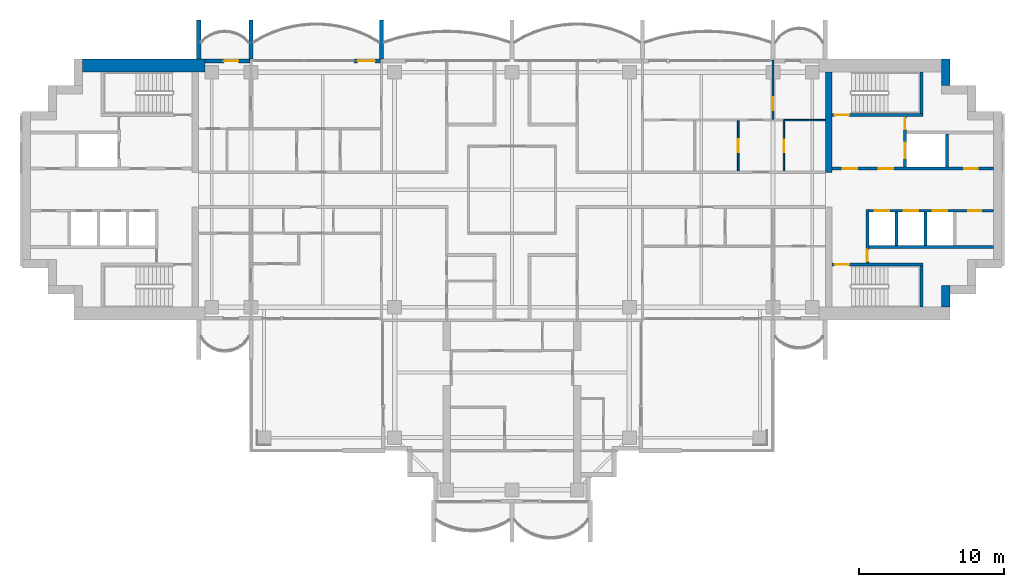
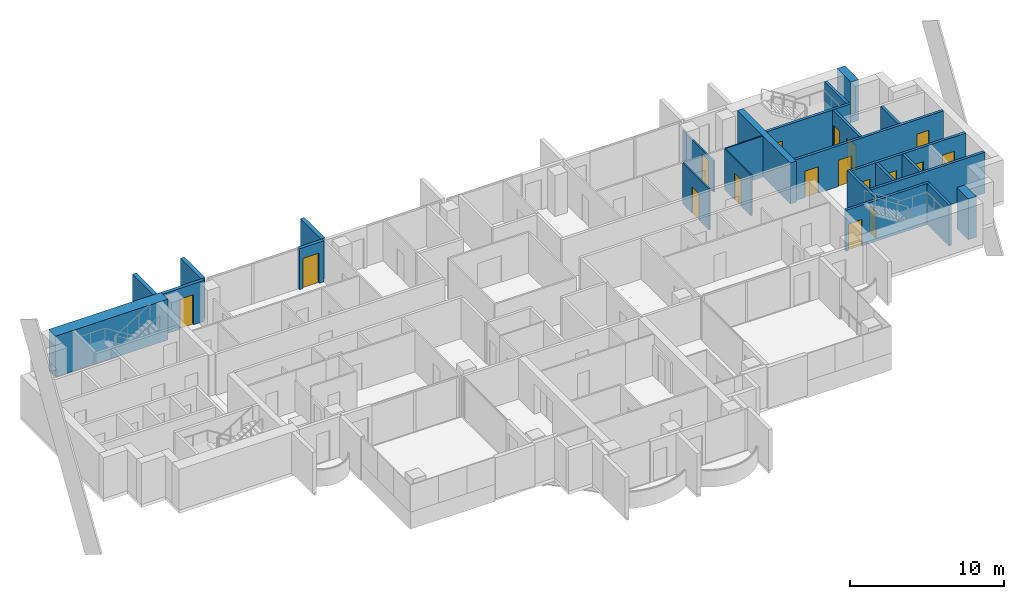
# One storey, part 12 of 17: 25 walls, 17 doors, 17 openings.
"""IFC4 building model written with IfcOpenShell, lengths in metres."""

from ifc_helpers import new_model, si_unit, direction, frame, frame_2d, origin, place, context, subcontext, project, spatial, rectangle, extrude, material, layer, layer_set, type_object, element, fill, save


model = new_model("IFC4")

# Units and contexts
model_context = context("Model", 3, precision=1e-05, world=origin(), true_north=direction((0.0, 1.0)))
body_context = subcontext(model_context, "Body", "Model", "MODEL_VIEW")
ifc_project = project(units=[si_unit("LENGTHUNIT", "METRE"), si_unit("AREAUNIT", "SQUARE_METRE"), si_unit("VOLUMEUNIT", "CUBIC_METRE"), si_unit("PLANEANGLEUNIT", "RADIAN"), si_unit("MASSUNIT", "GRAM", prefix="KILO")], contexts=[model_context])

# Site, building, storey
site_placement = place(None, origin())
site = spatial("IfcSite", under=ifc_project, at=site_placement, CompositionType="ELEMENT")
building_placement = place(site_placement, origin())
building = spatial("IfcBuilding", under=site, at=building_placement, Name="Perihelion Cross Residences", CompositionType="ELEMENT")
storey_placement = place(building_placement, frame((0.0, 0.0, 205.10009765625)))
storey = spatial("IfcBuildingStorey", under=building, at=storey_placement, Name="L51", CompositionType="ELEMENT", Elevation=205.10009765625)

# Wall, opening, door
ifc_material_1 = material(Name="Concrete C30/37, bronze-clad", Category="concrete")
ifc_layer_1 = layer(ifc_material_1, 0.25)
ifc_layer_set_1 = layer_set([ifc_layer_1], Name="Bronze-clad pier wall 250")
wall_type_1 = type_object("IfcWallType", Name="Bronze-clad pier wall 250", PredefinedType="SOLIDWALL", material=ifc_layer_set_1)
wall_1_placement = place(storey_placement, frame((-9.06005859375, 8.875, 0.0), z_axis=(0.0, 0.0, 1.0), x_axis=(-1.0, 0.0, 0.0)))
wall_1 = element("IfcWall", 1, at=wall_1_placement, inside=storey, type_object=wall_type_1, Name="Wall FW1 L51 west side north bay 1 pier", PredefinedType="SOLIDWALL", context=body_context, shape_type="SweptSolid", body=[
    extrude(rectangle(XDim=1.83984375, YDim=0.25, at=frame_2d((0.919921875, 0.0))), origin(), (0.0, 0.0, 1.0), 3.25),
])
opening_1_placement = place(wall_1_placement, frame((0.389892578125, 0.0, 0.0)))
opening_1 = element("IfcOpeningElement", 2, at=opening_1_placement, cuts=wall_1, Name="Opening L51.E05", PredefinedType="OPENING", context=body_context, shape_type="SweptSolid", body=[
    extrude(rectangle(XDim=1.199951171875, YDim=2.39990234375, at=frame_2d((0.60009765625, 1.199951171875))), frame((0.0, 0.135009765625, 0.0), z_axis=(0.0, -1.0, 0.0), x_axis=(1.0, 0.0, 0.0)), (0.0, 0.0, 1.0), 0.27001953125),
])
ifc_material_2 = material(Name="Bronze anodised aluminium, glazed", Category="aluminium")
door_type_1 = type_object("IfcDoorType", Name="Balcony door 1200 x 2400", OperationType="NOTDEFINED", PredefinedType="DOOR", material=ifc_material_2)
door_1_placement = place(opening_1_placement, origin())
door_1 = element("IfcDoor", 3, at=door_1_placement, inside=storey, type_object=door_type_1, Name="Door L51.E05 west side north bay 1", OperationType="SINGLE_SWING_LEFT", OverallHeight=2.39990234375, OverallWidth=1.199951171875, PredefinedType="DOOR", context=body_context, shape_type="SweptSolid", body=[
    extrude(rectangle(XDim=1.199951171875, YDim=2.39990234375, at=frame_2d((0.60009765625, 1.199951171875))), frame((0.0, 0.02490234375, 0.0), z_axis=(0.0, -1.0, 0.0), x_axis=(1.0, 0.0, 0.0)), (0.0, 0.0, 1.0), 0.050048828125),
])
fill(opening_1, door_1)

wall_2_placement = place(storey_placement, frame((-18.06005859375, 8.875, 0.0), z_axis=(0.0, 0.0, 1.0), x_axis=(-1.0, 0.0, 0.0)))
wall_2 = element("IfcWall", 4, at=wall_2_placement, inside=storey, type_object=wall_type_1, Name="Wall FW1 L51 west side north bay 2 pier", PredefinedType="SOLIDWALL", context=body_context, shape_type="SweptSolid", body=[
    extrude(rectangle(XDim=3.114990234375, YDim=0.25, at=frame_2d((1.5576171875, 0.0))), origin(), (0.0, 0.0, 1.0), 3.25),
])
opening_2_placement = place(wall_2_placement, frame((0.81494140625, 0.0, 0.0)))
opening_2 = element("IfcOpeningElement", 5, at=opening_2_placement, cuts=wall_2, Name="Opening L51.E06", PredefinedType="OPENING", context=body_context, shape_type="SweptSolid", body=[
    extrude(rectangle(XDim=1.0, YDim=2.39990234375, at=frame_2d((0.5, 1.199951171875))), frame((0.0, 0.135009765625, 0.0), z_axis=(0.0, -1.0, 0.0), x_axis=(1.0, 0.0, 0.0)), (0.0, 0.0, 1.0), 0.27001953125),
])
ifc_material_3 = material(Name="Bronze anodised aluminium, glazed", Category="aluminium")
door_type_2 = type_object("IfcDoorType", Name="Balcony door 1000 x 2400", OperationType="NOTDEFINED", PredefinedType="DOOR", material=ifc_material_3)
door_2_placement = place(opening_2_placement, origin())
door_2 = element("IfcDoor", 6, at=door_2_placement, inside=storey, type_object=door_type_2, Name="Door L51.E06 west side north bay 2", OperationType="SINGLE_SWING_RIGHT", OverallHeight=2.39990234375, OverallWidth=1.0, PredefinedType="DOOR", context=body_context, shape_type="SweptSolid", body=[
    extrude(rectangle(XDim=1.0, YDim=2.39990234375, at=frame_2d((0.5, 1.199951171875))), frame((0.0, 0.02490234375, 0.0), z_axis=(0.0, -1.0, 0.0), x_axis=(1.0, 0.0, 0.0)), (0.0, 0.0, 1.0), 0.050048828125),
])
fill(opening_2, door_2)

# Walls
ifc_material_4 = material(Name="Concrete C60/75", Category="concrete")
ifc_layer_2 = layer(ifc_material_4, 0.449951171875)
ifc_layer_set_2 = layer_set([ifc_layer_2], Name="Core wall, inner 450")
wall_type_2 = type_object("IfcWallType", Name="Core wall, inner 450", PredefinedType="SHEAR", material=ifc_layer_set_2)
wall_3_placement = place(storey_placement, frame((21.824951171875, 1.199951171875, 0.0), z_axis=(0.0, 0.0, 1.0), x_axis=(0.0, 1.0, 0.0)))
element("IfcWall", 7, at=wall_3_placement, inside=storey, type_object=wall_type_2, Name="East core core wall, inner", PredefinedType="SHEAR", context=body_context, shape_type="SweptSolid", body=[
    extrude(rectangle(XDim=6.900146484375, YDim=0.449951171875, at=frame_2d((3.4501953125, 0.0))), origin(), (0.0, 0.0, 1.0), 3.25),
])
ifc_material_5 = material(Name="Concrete C60/75", Category="concrete")
ifc_layer_3 = layer(ifc_material_5, 0.60009765625)
ifc_layer_set_3 = layer_set([ifc_layer_3], Name="Core wall, outer 600")
wall_type_3 = type_object("IfcWallType", Name="Core wall, outer 600", PredefinedType="SHEAR", material=ifc_layer_set_3)
wall_4_placement = place(storey_placement, frame((29.89990234375, -8.10009765625, 0.0), z_axis=(0.0, 0.0, 1.0), x_axis=(0.0, 1.0, 0.0)))
element("IfcWall", 8, at=wall_4_placement, inside=storey, type_object=wall_type_3, Name="East core core wall, outer", PredefinedType="SHEAR", context=body_context, shape_type="SweptSolid", body=[
    extrude(rectangle(XDim=1.5, YDim=0.60009765625, at=frame_2d((0.75, 0.0))), origin(), (0.0, 0.0, 1.0), 3.25),
])
wall_5_placement = place(storey_placement, frame((29.89990234375, 7.199951171875, 0.0), z_axis=(0.0, 0.0, 1.0), x_axis=(0.0, 1.0, 0.0)))
element("IfcWall", 9, at=wall_5_placement, inside=storey, type_object=wall_type_3, Name="East core core wall, outer", PredefinedType="SHEAR", context=body_context, shape_type="SweptSolid", body=[
    extrude(rectangle(XDim=1.800048828125, YDim=0.60009765625, at=frame_2d((0.89990234375, 0.0))), origin(), (0.0, 0.0, 1.0), 3.25),
])
ifc_material_6 = material(Name="Concrete C60/75", Category="concrete")
ifc_layer_4 = layer(ifc_material_6, 0.89990234375)
ifc_layer_set_4 = layer_set([ifc_layer_4], Name="Core wall, outer 900")
wall_type_4 = type_object("IfcWallType", Name="Core wall, outer 900", PredefinedType="SHEAR", material=ifc_layer_set_4)
wall_6_placement = place(storey_placement, frame((-29.60009765625, 8.550048828125, 0.0), z_axis=(0.0, 0.0, 1.0), x_axis=(1.0, 0.0, 0.0)))
element("IfcWall", 10, at=wall_6_placement, inside=storey, type_object=wall_type_4, Name="West core core wall, outer", PredefinedType="SHEAR", context=body_context, shape_type="SweptSolid", body=[
    extrude(rectangle(XDim=8.425048828125, YDim=0.89990234375, at=frame_2d((4.21240234375, 0.0))), origin(), (0.0, 0.0, 1.0), 3.25),
])

# Wall, opening, door
ifc_material_7 = material(Name="Concrete C50/60", Category="concrete")
ifc_layer_5 = layer(ifc_material_7, 0.199951171875)
ifc_layer_set_5 = layer_set([ifc_layer_5], Name="Lobby wall 200")
wall_type_5 = type_object("IfcWallType", Name="Lobby wall 200", PredefinedType="SOLIDWALL", material=ifc_layer_set_5)
wall_7_placement = place(storey_placement, frame((24.5, -5.050048828125, 0.0), z_axis=(0.0, 0.0, 1.0), x_axis=(0.0, 1.0, 0.0)))
wall_7 = element("IfcWall", 11, at=wall_7_placement, inside=storey, type_object=wall_type_5, Name="East core lobby wall", PredefinedType="SOLIDWALL", context=body_context, shape_type="SweptSolid", body=[
    extrude(rectangle(XDim=3.699951171875, YDim=0.199951171875, at=frame_2d((1.85009765625, 0.0))), origin(), (0.0, 0.0, 1.0), 3.25),
])
opening_3_placement = place(wall_7_placement, frame((0.10009765625, 0.0, 0.0)))
opening_3 = element("IfcOpeningElement", 12, at=opening_3_placement, cuts=wall_7, Name="Opening L51.C08", PredefinedType="OPENING", context=body_context, shape_type="SweptSolid", body=[
    extrude(rectangle(XDim=0.800048828125, YDim=2.10009765625, at=frame_2d((0.39990234375, 1.050048828125))), frame((0.0, 0.10986328125, 0.0), z_axis=(0.0, -1.0, 0.0), x_axis=(1.0, 0.0, 0.0)), (0.0, 0.0, 1.0), 0.219970703125),
])
ifc_material_8 = material(Name="Steel, powder coated", Category="steel")
door_type_3 = type_object("IfcDoorType", Name="Riser door 800", OperationType="SINGLE_SWING_LEFT", PredefinedType="DOOR", material=ifc_material_8)
door_3_placement = place(opening_3_placement, origin())
door_3 = element("IfcDoor", 13, at=door_3_placement, inside=storey, type_object=door_type_3, Name="East core riser door", OperationType="SINGLE_SWING_LEFT", OverallHeight=2.10009765625, OverallWidth=0.800048828125, PredefinedType="DOOR", context=body_context, shape_type="SweptSolid", body=[
    extrude(rectangle(XDim=0.800048828125, YDim=2.10009765625, at=frame_2d((0.39990234375, 1.050048828125))), frame((0.0, 0.02490234375, 0.0), z_axis=(0.0, -1.0, 0.0), x_axis=(1.0, 0.0, 0.0)), (0.0, 0.0, 1.0), 0.050048828125),
])
fill(opening_3, door_3)

ifc_material_9 = material(Name="Plasterboard partition")
ifc_layer_6 = layer(ifc_material_9, 0.1201171875)
ifc_layer_set_6 = layer_set([ifc_layer_6], Name="Partition wall 120")
wall_type_6 = type_object("IfcWallType", Name="Partition wall 120", PredefinedType="PARTITIONING", material=ifc_layer_set_6)
wall_8_placement = place(storey_placement, frame((15.60009765625, 4.739990234375, 0.0), z_axis=(0.0, 0.0, 1.0), x_axis=(0.0, -1.0, 0.0)))
wall_8 = element("IfcWall", 14, at=wall_8_placement, inside=storey, type_object=wall_type_6, Name="Partition L51 W025", PredefinedType="PARTITIONING", context=body_context, shape_type="SweptSolid", body=[
    extrude(rectangle(XDim=3.43994140625, YDim=0.1201171875, at=frame_2d((1.719970703125, 0.0))), origin(), (0.0, 0.0, 1.0), 3.25),
])
opening_4_placement = place(wall_8_placement, frame((1.27001953125, 0.0, 0.0)))
opening_4 = element("IfcOpeningElement", 15, at=opening_4_placement, cuts=wall_8, Name="Opening L51.A08", PredefinedType="OPENING", context=body_context, shape_type="SweptSolid", body=[
    extrude(rectangle(XDim=0.89990234375, YDim=2.10009765625, at=frame_2d((0.449951171875, 1.050048828125))), frame((0.0, 0.070068359375, 0.0), z_axis=(0.0, -1.0, 0.0), x_axis=(1.0, 0.0, 0.0)), (0.0, 0.0, 1.0), 0.14013671875),
])
ifc_material_10 = material(Name="Timber door leaf", Category="wood")
door_type_4 = type_object("IfcDoorType", Name="Interior room door 900 x 2100", OperationType="SINGLE_SWING_LEFT", PredefinedType="DOOR", material=ifc_material_10)
door_4_placement = place(opening_4_placement, origin())
door_4 = element("IfcDoor", 16, at=door_4_placement, inside=storey, type_object=door_type_4, Name="Door L51.A08", OperationType="SINGLE_SWING_RIGHT", OverallHeight=2.10009765625, OverallWidth=0.89990234375, PredefinedType="DOOR", context=body_context, shape_type="SweptSolid", body=[
    extrude(rectangle(XDim=0.89990234375, YDim=2.10009765625, at=frame_2d((0.449951171875, 1.050048828125))), frame((0.0, 0.02490234375, 0.0), z_axis=(0.0, -1.0, 0.0), x_axis=(1.0, 0.0, 0.0)), (0.0, 0.0, 1.0), 0.050048828125),
])
fill(opening_4, door_4)

wall_9_placement = place(storey_placement, frame((18.0, 8.919921875, 0.0), z_axis=(0.0, 0.0, 1.0), x_axis=(0.0, -1.0, 0.0)))
wall_9 = element("IfcWall", 17, at=wall_9_placement, inside=storey, type_object=wall_type_6, Name="Partition L51 W028", PredefinedType="PARTITIONING", context=body_context, shape_type="SweptSolid", body=[
    extrude(rectangle(XDim=4.059814453125, YDim=0.1201171875, at=frame_2d((2.02978515625, 0.0))), origin(), (0.0, 0.0, 1.0), 2.47998046875),
])
opening_5_placement = place(wall_9_placement, frame((2.5400390625, 0.0, 0.0)))
opening_5 = element("IfcOpeningElement", 18, at=opening_5_placement, cuts=wall_9, Name="Opening L51.A02", PredefinedType="OPENING", context=body_context, shape_type="SweptSolid", body=[
    extrude(rectangle(XDim=0.89990234375, YDim=2.10009765625, at=frame_2d((0.449951171875, 1.050048828125))), frame((0.0, 0.070068359375, 0.0), z_axis=(0.0, -1.0, 0.0), x_axis=(1.0, 0.0, 0.0)), (0.0, 0.0, 1.0), 0.14013671875),
])
door_5_placement = place(opening_5_placement, origin())
door_5 = element("IfcDoor", 19, at=door_5_placement, inside=storey, type_object=door_type_4, Name="Door L51.A02", OperationType="SINGLE_SWING_LEFT", OverallHeight=2.10009765625, OverallWidth=0.89990234375, PredefinedType="DOOR", context=body_context, shape_type="SweptSolid", body=[
    extrude(rectangle(XDim=0.89990234375, YDim=2.10009765625, at=frame_2d((0.449951171875, 1.050048828125))), frame((0.0, 0.02490234375, 0.0), z_axis=(0.0, -1.0, 0.0), x_axis=(1.0, 0.0, 0.0)), (0.0, 0.0, 1.0), 0.050048828125),
])
fill(opening_5, door_5)

# Walls
ifc_material_11 = material(Name="Precast concrete C50/60", Category="concrete")
ifc_layer_7 = layer(ifc_material_11, 0.300048828125)
ifc_layer_set_7 = layer_set([ifc_layer_7], Name="Precast concrete C50/60 blade wall 300")
wall_type_7 = type_object("IfcWallType", Name="Precast concrete C50/60 blade wall 300", PredefinedType="SOLIDWALL", material=ifc_layer_set_7)
for number, where, z_axis, x_axis, name in (
    (20, (-21.60009765625, 9.0, 0.0), (0.0, 0.0, 1.0), (0.0, 1.0, 0.0), "Wall BL1 L51 no. 4"),
    (21, (-18.0, 9.0, 0.0), (0.0, 0.0, 1.0), (0.0, 1.0, 0.0), "Wall BL1 L51 no. 2"),
    (22, (-9.0, 9.0, 0.0), (0.0, 0.0, 1.0), (0.0, 1.0, 0.0), "Wall BL1 L51 no. 7"),
):
    element("IfcWall", number, at=place(storey_placement, frame(where, z_axis=z_axis, x_axis=x_axis)), inside=storey, type_object=wall_type_7, Name=name, PredefinedType="SOLIDWALL", context=body_context, shape_type="SweptSolid", body=[
        extrude(rectangle(XDim=2.699951171875, YDim=0.300048828125, at=frame_2d((1.35009765625, 0.0))), origin(), (0.0, 0.0, 1.0), 3.25),
    ])

# Wall, openings, doors
ifc_material_12 = material(Name="Concrete C50/60", Category="concrete")
ifc_layer_8 = layer(ifc_material_12, 0.199951171875)
ifc_layer_set_8 = layer_set([ifc_layer_8], Name="Shaft wall 200")
wall_type_8 = type_object("IfcWallType", Name="Shaft wall 200", PredefinedType="SOLIDWALL", material=ifc_layer_set_8)
wall_10_placement = place(storey_placement, frame((22.050048828125, 1.449951171875, 0.0), z_axis=(0.0, 0.0, 1.0), x_axis=(1.0, 0.0, 0.0)))
wall_10 = element("IfcWall", 23, at=wall_10_placement, inside=storey, type_object=wall_type_8, Name="East core shaft wall", PredefinedType="SOLIDWALL", context=body_context, shape_type="SweptSolid", body=[
    extrude(rectangle(XDim=11.14990234375, YDim=0.199951171875, at=frame_2d((5.574951171875, 0.0))), origin(), (0.0, 0.0, 1.0), 3.25),
])
opening_6_placement = place(wall_10_placement, frame((0.75, 0.0, 0.0)))
opening_6 = element("IfcOpeningElement", 24, at=opening_6_placement, cuts=wall_10, Name="Opening L51.C07", PredefinedType="OPENING", context=body_context, shape_type="SweptSolid", body=[
    extrude(rectangle(XDim=1.0, YDim=2.10009765625, at=frame_2d((0.5, 1.050048828125))), frame((0.0, 0.10986328125, 0.0), z_axis=(0.0, -1.0, 0.0), x_axis=(1.0, 0.0, 0.0)), (0.0, 0.0, 1.0), 0.219970703125),
])
opening_7_placement = place(wall_10_placement, frame((3.25, 0.0, 0.0)))
opening_7 = element("IfcOpeningElement", 25, at=opening_7_placement, cuts=wall_10, Name="Opening L51.C09", PredefinedType="OPENING", context=body_context, shape_type="SweptSolid", body=[
    extrude(rectangle(XDim=1.0, YDim=2.10009765625, at=frame_2d((0.5, 1.050048828125))), frame((0.0, 0.10986328125, 0.0), z_axis=(0.0, -1.0, 0.0), x_axis=(1.0, 0.0, 0.0)), (0.0, 0.0, 1.0), 0.219970703125),
])
opening_8_placement = place(wall_10_placement, frame((9.14990234375, 0.0, 0.0)))
opening_8 = element("IfcOpeningElement", 26, at=opening_8_placement, cuts=wall_10, Name="Opening L51.C11", PredefinedType="OPENING", context=body_context, shape_type="SweptSolid", body=[
    extrude(rectangle(XDim=0.89990234375, YDim=2.10009765625, at=frame_2d((0.449951171875, 1.050048828125))), frame((0.0, 0.10986328125, 0.0), z_axis=(0.0, -1.0, 0.0), x_axis=(1.0, 0.0, 0.0)), (0.0, 0.0, 1.0), 0.219970703125),
])
ifc_material_13 = material(Name="Steel, powder coated", Category="steel")
door_type_5 = type_object("IfcDoorType", Name="Lobby door 1000", OperationType="SINGLE_SWING_LEFT", PredefinedType="DOOR", material=ifc_material_13)
door_6_placement = place(opening_6_placement, origin())
door_6 = element("IfcDoor", 27, at=door_6_placement, inside=storey, type_object=door_type_5, Name="East core firefighting lobby door", OperationType="SINGLE_SWING_LEFT", OverallHeight=2.10009765625, OverallWidth=1.0, PredefinedType="DOOR", context=body_context, shape_type="SweptSolid", body=[
    extrude(rectangle(XDim=1.0, YDim=2.10009765625, at=frame_2d((0.5, 1.050048828125))), frame((0.0, 0.02490234375, 0.0), z_axis=(0.0, -1.0, 0.0), x_axis=(1.0, 0.0, 0.0)), (0.0, 0.0, 1.0), 0.050048828125),
])
fill(opening_6, door_6)
door_7_placement = place(opening_7_placement, origin())
door_7 = element("IfcDoor", 28, at=door_7_placement, inside=storey, type_object=door_type_5, Name="East core firefighting lobby door", OperationType="SINGLE_SWING_LEFT", OverallHeight=2.10009765625, OverallWidth=1.0, PredefinedType="DOOR", context=body_context, shape_type="SweptSolid", body=[
    extrude(rectangle(XDim=1.0, YDim=2.10009765625, at=frame_2d((0.5, 1.050048828125))), frame((0.0, 0.02490234375, 0.0), z_axis=(0.0, -1.0, 0.0), x_axis=(1.0, 0.0, 0.0)), (0.0, 0.0, 1.0), 0.050048828125),
])
fill(opening_7, door_7)
ifc_material_14 = material(Name="Steel, powder coated", Category="steel")
door_type_6 = type_object("IfcDoorType", Name="Service room door 900", OperationType="SINGLE_SWING_LEFT", PredefinedType="DOOR", material=ifc_material_14)
door_8_placement = place(opening_8_placement, origin())
door_8 = element("IfcDoor", 29, at=door_8_placement, inside=storey, type_object=door_type_6, Name="East core service room door", OperationType="SINGLE_SWING_LEFT", OverallHeight=2.10009765625, OverallWidth=0.89990234375, PredefinedType="DOOR", context=body_context, shape_type="SweptSolid", body=[
    extrude(rectangle(XDim=0.89990234375, YDim=2.10009765625, at=frame_2d((0.449951171875, 1.050048828125))), frame((0.0, 0.02490234375, 0.0), z_axis=(0.0, -1.0, 0.0), x_axis=(1.0, 0.0, 0.0)), (0.0, 0.0, 1.0), 0.050048828125),
])
fill(opening_8, door_8)

wall_11_placement = place(storey_placement, frame((24.60009765625, -1.449951171875, 0.0), z_axis=(0.0, 0.0, 1.0), x_axis=(1.0, 0.0, 0.0)))
wall_11 = element("IfcWall", 30, at=wall_11_placement, inside=storey, type_object=wall_type_8, Name="East core shaft wall", PredefinedType="SOLIDWALL", context=body_context, shape_type="SweptSolid", body=[
    extrude(rectangle(XDim=8.599853515625, YDim=0.199951171875, at=frame_2d((4.2998046875, 0.0))), origin(), (0.0, 0.0, 1.0), 3.25),
])
opening_9_placement = place(wall_11_placement, frame((0.39990234375, 0.0, 0.0)))
opening_9 = element("IfcOpeningElement", 31, at=opening_9_placement, cuts=wall_11, Name="Opening L51.C01", PredefinedType="OPENING", context=body_context, shape_type="SweptSolid", body=[
    extrude(rectangle(XDim=1.0, YDim=2.10009765625, at=frame_2d((0.5, 1.050048828125))), frame((0.0, 0.10986328125, 0.0), z_axis=(0.0, -1.0, 0.0), x_axis=(1.0, 0.0, 0.0)), (0.0, 0.0, 1.0), 0.219970703125),
])
opening_10_placement = place(wall_11_placement, frame((2.39990234375, 0.0, 0.0)))
opening_10 = element("IfcOpeningElement", 32, at=opening_10_placement, cuts=wall_11, Name="Opening L51.C03", PredefinedType="OPENING", context=body_context, shape_type="SweptSolid", body=[
    extrude(rectangle(XDim=1.0, YDim=2.10009765625, at=frame_2d((0.5, 1.050048828125))), frame((0.0, 0.10986328125, 0.0), z_axis=(0.0, -1.0, 0.0), x_axis=(1.0, 0.0, 0.0)), (0.0, 0.0, 1.0), 0.219970703125),
])
opening_11_placement = place(wall_11_placement, frame((4.39990234375, 0.0, 0.0)))
opening_11 = element("IfcOpeningElement", 33, at=opening_11_placement, cuts=wall_11, Name="Opening L51.C04", PredefinedType="OPENING", context=body_context, shape_type="SweptSolid", body=[
    extrude(rectangle(XDim=1.0, YDim=2.10009765625, at=frame_2d((0.5, 1.050048828125))), frame((0.0, 0.10986328125, 0.0), z_axis=(0.0, -1.0, 0.0), x_axis=(1.0, 0.0, 0.0)), (0.0, 0.0, 1.0), 0.219970703125),
])
opening_12_placement = place(wall_11_placement, frame((6.85009765625, 0.0, 0.0)))
opening_12 = element("IfcOpeningElement", 34, at=opening_12_placement, cuts=wall_11, Name="Opening L51.C12", PredefinedType="OPENING", context=body_context, shape_type="SweptSolid", body=[
    extrude(rectangle(XDim=0.89990234375, YDim=2.10009765625, at=frame_2d((0.449951171875, 1.050048828125))), frame((0.0, 0.10986328125, 0.0), z_axis=(0.0, -1.0, 0.0), x_axis=(1.0, 0.0, 0.0)), (0.0, 0.0, 1.0), 0.219970703125),
])
ifc_material_15 = material(Name="Stainless steel", Category="steel")
door_type_7 = type_object("IfcDoorType", Name="Landing door 1000", OperationType="DOUBLE_DOOR_SLIDING", PredefinedType="DOOR", material=ifc_material_15)
door_9_placement = place(opening_9_placement, origin())
door_9 = element("IfcDoor", 35, at=door_9_placement, inside=storey, type_object=door_type_7, Name="Landing door, East core high-rise lift 1", OperationType="DOUBLE_DOOR_SLIDING", OverallHeight=2.10009765625, OverallWidth=1.0, PredefinedType="DOOR", context=body_context, shape_type="SweptSolid", body=[
    extrude(rectangle(XDim=1.0, YDim=2.10009765625, at=frame_2d((0.5, 1.050048828125))), frame((0.0, 0.02490234375, 0.0), z_axis=(0.0, -1.0, 0.0), x_axis=(1.0, 0.0, 0.0)), (0.0, 0.0, 1.0), 0.050048828125),
])
fill(opening_9, door_9)
door_10_placement = place(opening_10_placement, origin())
door_10 = element("IfcDoor", 36, at=door_10_placement, inside=storey, type_object=door_type_7, Name="Landing door, East core high-rise lift 2", OperationType="DOUBLE_DOOR_SLIDING", OverallHeight=2.10009765625, OverallWidth=1.0, PredefinedType="DOOR", context=body_context, shape_type="SweptSolid", body=[
    extrude(rectangle(XDim=1.0, YDim=2.10009765625, at=frame_2d((0.5, 1.050048828125))), frame((0.0, 0.02490234375, 0.0), z_axis=(0.0, -1.0, 0.0), x_axis=(1.0, 0.0, 0.0)), (0.0, 0.0, 1.0), 0.050048828125),
])
fill(opening_10, door_10)
door_11_placement = place(opening_11_placement, origin())
door_11 = element("IfcDoor", 37, at=door_11_placement, inside=storey, type_object=door_type_7, Name="Landing door, East core high-rise lift 3", OperationType="DOUBLE_DOOR_SLIDING", OverallHeight=2.10009765625, OverallWidth=1.0, PredefinedType="DOOR", context=body_context, shape_type="SweptSolid", body=[
    extrude(rectangle(XDim=1.0, YDim=2.10009765625, at=frame_2d((0.5, 1.050048828125))), frame((0.0, 0.02490234375, 0.0), z_axis=(0.0, -1.0, 0.0), x_axis=(1.0, 0.0, 0.0)), (0.0, 0.0, 1.0), 0.050048828125),
])
fill(opening_11, door_11)
door_12_placement = place(opening_12_placement, origin())
door_12 = element("IfcDoor", 38, at=door_12_placement, inside=storey, type_object=door_type_6, Name="East core service room door", OperationType="SINGLE_SWING_LEFT", OverallHeight=2.10009765625, OverallWidth=0.89990234375, PredefinedType="DOOR", context=body_context, shape_type="SweptSolid", body=[
    extrude(rectangle(XDim=0.89990234375, YDim=2.10009765625, at=frame_2d((0.449951171875, 1.050048828125))), frame((0.0, 0.02490234375, 0.0), z_axis=(0.0, -1.0, 0.0), x_axis=(1.0, 0.0, 0.0)), (0.0, 0.0, 1.0), 0.050048828125),
])
fill(opening_12, door_12)

# Wall
wall_12_placement = place(storey_placement, frame((24.60009765625, -3.949951171875, 0.0), z_axis=(0.0, 0.0, 1.0), x_axis=(1.0, 0.0, 0.0)))
element("IfcWall", 39, at=wall_12_placement, inside=storey, type_object=wall_type_8, Name="East core shaft wall", PredefinedType="SOLIDWALL", context=body_context, shape_type="SweptSolid", body=[
    extrude(rectangle(XDim=8.599853515625, YDim=0.199951171875, at=frame_2d((4.2998046875, 0.0))), origin(), (0.0, 0.0, 1.0), 3.25),
])

# Wall, openings, doors
wall_13_placement = place(storey_placement, frame((27.10009765625, 1.550048828125, 0.0), z_axis=(0.0, 0.0, 1.0), x_axis=(0.0, 1.0, 0.0)))
wall_13 = element("IfcWall", 40, at=wall_13_placement, inside=storey, type_object=wall_type_8, Name="East core shaft wall", PredefinedType="SOLIDWALL", context=body_context, shape_type="SweptSolid", body=[
    extrude(rectangle(XDim=3.5, YDim=0.199951171875, at=frame_2d((1.75, 0.0))), origin(), (0.0, 0.0, 1.0), 3.25),
])
opening_13_placement = place(wall_13_placement, frame((0.60009765625, 0.0, 0.0)))
opening_13 = element("IfcOpeningElement", 41, at=opening_13_placement, cuts=wall_13, Name="Opening L51.C02", PredefinedType="OPENING", context=body_context, shape_type="SweptSolid", body=[
    extrude(rectangle(XDim=1.10009765625, YDim=2.10009765625, at=frame_2d((0.550048828125, 1.050048828125))), frame((0.0, 0.10986328125, 0.0), z_axis=(0.0, -1.0, 0.0), x_axis=(1.0, 0.0, 0.0)), (0.0, 0.0, 1.0), 0.219970703125),
])
opening_14_placement = place(wall_13_placement, frame((2.60009765625, 0.0, 0.0)))
opening_14 = element("IfcOpeningElement", 42, at=opening_14_placement, cuts=wall_13, Name="Opening L51.C10", PredefinedType="OPENING", context=body_context, shape_type="SweptSolid", body=[
    extrude(rectangle(XDim=0.800048828125, YDim=2.10009765625, at=frame_2d((0.39990234375, 1.050048828125))), frame((0.0, 0.10986328125, 0.0), z_axis=(0.0, -1.0, 0.0), x_axis=(1.0, 0.0, 0.0)), (0.0, 0.0, 1.0), 0.219970703125),
])
ifc_material_16 = material(Name="Stainless steel", Category="steel")
door_type_8 = type_object("IfcDoorType", Name="Landing door, firefighting lift 1100", OperationType="DOUBLE_DOOR_SLIDING", PredefinedType="DOOR", material=ifc_material_16)
door_13_placement = place(opening_13_placement, origin())
door_13 = element("IfcDoor", 43, at=door_13_placement, inside=storey, type_object=door_type_8, Name="Landing door, East core firefighting and service lift", OperationType="DOUBLE_DOOR_SLIDING", OverallHeight=2.10009765625, OverallWidth=1.10009765625, PredefinedType="DOOR", context=body_context, shape_type="SweptSolid", body=[
    extrude(rectangle(XDim=1.10009765625, YDim=2.10009765625, at=frame_2d((0.550048828125, 1.050048828125))), frame((0.0, 0.02490234375, 0.0), z_axis=(0.0, -1.0, 0.0), x_axis=(1.0, 0.0, 0.0)), (0.0, 0.0, 1.0), 0.050048828125),
])
fill(opening_13, door_13)
door_14_placement = place(opening_14_placement, origin())
door_14 = element("IfcDoor", 44, at=door_14_placement, inside=storey, type_object=door_type_3, Name="East core riser door", OperationType="SINGLE_SWING_LEFT", OverallHeight=2.10009765625, OverallWidth=0.800048828125, PredefinedType="DOOR", context=body_context, shape_type="SweptSolid", body=[
    extrude(rectangle(XDim=0.800048828125, YDim=2.10009765625, at=frame_2d((0.39990234375, 1.050048828125))), frame((0.0, 0.02490234375, 0.0), z_axis=(0.0, -1.0, 0.0), x_axis=(1.0, 0.0, 0.0)), (0.0, 0.0, 1.0), 0.050048828125),
])
fill(opening_14, door_14)

# Walls
for number, where, z_axis, x_axis, name in (
    (45, (30.0, 1.550048828125, 0.0), (0.0, 0.0, 1.0), (0.0, 1.0, 0.0), "East core shaft wall"),
    (46, (26.5, -3.85009765625, 0.0), (0.0, 0.0, 1.0), (0.0, 1.0, 0.0), "East core shaft wall"),
    (47, (28.5, -3.85009765625, 0.0), (0.0, 0.0, 1.0), (0.0, 1.0, 0.0), "East core shaft wall"),
):
    element("IfcWall", number, at=place(storey_placement, frame(where, z_axis=z_axis, x_axis=x_axis)), inside=storey, type_object=wall_type_8, Name=name, PredefinedType="SOLIDWALL", context=body_context, shape_type="SweptSolid", body=[
        extrude(rectangle(XDim=2.300048828125, YDim=0.199951171875, at=frame_2d((1.14990234375, 0.0))), origin(), (0.0, 0.0, 1.0), 3.25),
    ])

# Wall, opening, door
ifc_material_17 = material(Name="Concrete C50/60", Category="concrete")
ifc_layer_9 = layer(ifc_material_17, 0.199951171875)
ifc_layer_set_9 = layer_set([ifc_layer_9], Name="Stair wall 200")
wall_type_9 = type_object("IfcWallType", Name="Stair wall 200", PredefinedType="SOLIDWALL", material=ifc_layer_set_9)
wall_14_placement = place(storey_placement, frame((22.050048828125, 5.14990234375, 0.0), z_axis=(0.0, 0.0, 1.0), x_axis=(1.0, 0.0, 0.0)))
wall_14 = element("IfcWall", 48, at=wall_14_placement, inside=storey, type_object=wall_type_9, Name="East core stair wall", PredefinedType="SOLIDWALL", context=body_context, shape_type="SweptSolid", body=[
    extrude(rectangle(XDim=6.300048828125, YDim=0.199951171875, at=frame_2d((3.14990234375, 0.0))), origin(), (0.0, 0.0, 1.0), 3.25),
])
opening_15_placement = place(wall_14_placement, frame((0.199951171875, 0.0, 0.0)))
opening_15 = element("IfcOpeningElement", 49, at=opening_15_placement, cuts=wall_14, Name="Opening L51.C06", PredefinedType="OPENING", context=body_context, shape_type="SweptSolid", body=[
    extrude(rectangle(XDim=1.0, YDim=2.10009765625, at=frame_2d((0.5, 1.050048828125))), frame((0.0, 0.10986328125, 0.0), z_axis=(0.0, -1.0, 0.0), x_axis=(1.0, 0.0, 0.0)), (0.0, 0.0, 1.0), 0.219970703125),
])
ifc_material_18 = material(Name="Steel, powder coated", Category="steel")
door_type_9 = type_object("IfcDoorType", Name="Stair door 1000", OperationType="SINGLE_SWING_LEFT", PredefinedType="DOOR", material=ifc_material_18)
door_15_placement = place(opening_15_placement, origin())
door_15 = element("IfcDoor", 50, at=door_15_placement, inside=storey, type_object=door_type_9, Name="East core stair door", OperationType="SINGLE_SWING_LEFT", OverallHeight=2.10009765625, OverallWidth=1.0, PredefinedType="DOOR", context=body_context, shape_type="SweptSolid", body=[
    extrude(rectangle(XDim=1.0, YDim=2.10009765625, at=frame_2d((0.5, 1.050048828125))), frame((0.0, 0.02490234375, 0.0), z_axis=(0.0, -1.0, 0.0), x_axis=(1.0, 0.0, 0.0)), (0.0, 0.0, 1.0), 0.050048828125),
])
fill(opening_15, door_15)

wall_15_placement = place(storey_placement, frame((22.050048828125, -5.14990234375, 0.0), z_axis=(0.0, 0.0, 1.0), x_axis=(1.0, 0.0, 0.0)))
wall_15 = element("IfcWall", 51, at=wall_15_placement, inside=storey, type_object=wall_type_9, Name="East core stair wall", PredefinedType="SOLIDWALL", context=body_context, shape_type="SweptSolid", body=[
    extrude(rectangle(XDim=6.300048828125, YDim=0.199951171875, at=frame_2d((3.14990234375, 0.0))), origin(), (0.0, 0.0, 1.0), 3.25),
])
opening_16_placement = place(wall_15_placement, frame((0.199951171875, 0.0, 0.0)))
opening_16 = element("IfcOpeningElement", 52, at=opening_16_placement, cuts=wall_15, Name="Opening L51.C05", PredefinedType="OPENING", context=body_context, shape_type="SweptSolid", body=[
    extrude(rectangle(XDim=1.0, YDim=2.10009765625, at=frame_2d((0.5, 1.050048828125))), frame((0.0, 0.10986328125, 0.0), z_axis=(0.0, -1.0, 0.0), x_axis=(1.0, 0.0, 0.0)), (0.0, 0.0, 1.0), 0.219970703125),
])
door_16_placement = place(opening_16_placement, origin())
door_16 = element("IfcDoor", 53, at=door_16_placement, inside=storey, type_object=door_type_9, Name="East core stair door", OperationType="SINGLE_SWING_LEFT", OverallHeight=2.10009765625, OverallWidth=1.0, PredefinedType="DOOR", context=body_context, shape_type="SweptSolid", body=[
    extrude(rectangle(XDim=1.0, YDim=2.10009765625, at=frame_2d((0.5, 1.050048828125))), frame((0.0, 0.02490234375, 0.0), z_axis=(0.0, -1.0, 0.0), x_axis=(1.0, 0.0, 0.0)), (0.0, 0.0, 1.0), 0.050048828125),
])
fill(opening_16, door_16)

# Walls
for number, where, z_axis, x_axis, name in (
    (54, (28.25, 5.25, 0.0), (0.0, 0.0, 1.0), (0.0, 1.0, 0.0), "East core stair wall"),
    (55, (28.25, -8.10009765625, 0.0), (0.0, 0.0, 1.0), (0.0, 1.0, 0.0), "East core stair wall"),
):
    element("IfcWall", number, at=place(storey_placement, frame(where, z_axis=z_axis, x_axis=x_axis)), inside=storey, type_object=wall_type_9, Name=name, PredefinedType="SOLIDWALL", context=body_context, shape_type="SweptSolid", body=[
        extrude(rectangle(XDim=2.85009765625, YDim=0.199951171875, at=frame_2d((1.425048828125, 0.0))), origin(), (0.0, 0.0, 1.0), 3.25),
    ])

# Wall, opening, door
ifc_material_19 = material(Name="Plasterboard partition")
ifc_layer_10 = layer(ifc_material_19, 0.10009765625)
ifc_layer_set_10 = layer_set([ifc_layer_10], Name="Wet room wall 100")
wall_type_10 = type_object("IfcWallType", Name="Wet room wall 100", PredefinedType="PARTITIONING", material=ifc_layer_set_10)
wall_16_placement = place(storey_placement, frame((18.75, 4.739990234375, 0.0), z_axis=(0.0, 0.0, 1.0), x_axis=(0.0, -1.0, 0.0)))
wall_16 = element("IfcWall", 56, at=wall_16_placement, inside=storey, type_object=wall_type_10, Name="Partition L51 W026", PredefinedType="PARTITIONING", context=body_context, shape_type="SweptSolid", body=[
    extrude(rectangle(XDim=3.43994140625, YDim=0.10009765625, at=frame_2d((1.719970703125, 0.0))), origin(), (0.0, 0.0, 1.0), 3.25),
])
opening_17_placement = place(wall_16_placement, frame((1.294921875, 0.0, 0.0)))
opening_17 = element("IfcOpeningElement", 57, at=opening_17_placement, cuts=wall_16, Name="Opening L51.A04", PredefinedType="OPENING", context=body_context, shape_type="SweptSolid", body=[
    extrude(rectangle(XDim=0.85009765625, YDim=2.10009765625, at=frame_2d((0.425048828125, 1.050048828125))), frame((0.0, 0.06005859375, 0.0), z_axis=(0.0, -1.0, 0.0), x_axis=(1.0, 0.0, 0.0)), (0.0, 0.0, 1.0), 0.1201171875),
])
ifc_material_20 = material(Name="Timber door leaf", Category="wood")
door_type_10 = type_object("IfcDoorType", Name="Interior bathroom door 850 x 2100", OperationType="SINGLE_SWING_LEFT", PredefinedType="DOOR", material=ifc_material_20)
door_17_placement = place(opening_17_placement, origin())
door_17 = element("IfcDoor", 58, at=door_17_placement, inside=storey, type_object=door_type_10, Name="Door L51.A04", OperationType="SINGLE_SWING_RIGHT", OverallHeight=2.10009765625, OverallWidth=0.85009765625, PredefinedType="DOOR", context=body_context, shape_type="SweptSolid", body=[
    extrude(rectangle(XDim=0.85009765625, YDim=2.10009765625, at=frame_2d((0.425048828125, 1.050048828125))), frame((0.0, 0.02490234375, 0.0), z_axis=(0.0, -1.0, 0.0), x_axis=(1.0, 0.0, 0.0)), (0.0, 0.0, 1.0), 0.050048828125),
])
fill(opening_17, door_17)

# Wall
wall_17_placement = place(storey_placement, frame((18.75, 4.800048828125, 0.0), z_axis=(0.0, 0.0, 1.0), x_axis=(1.0, 0.0, 0.0)))
element("IfcWall", 59, at=wall_17_placement, inside=storey, type_object=wall_type_10, Name="Partition L51 W027", PredefinedType="PARTITIONING", context=body_context, shape_type="SweptSolid", body=[
    extrude(rectangle(XDim=2.85009765625, YDim=0.10009765625, at=frame_2d((1.425048828125, 0.0))), origin(), (0.0, 0.0, 1.0), 3.25),
])

save(model, "model.ifc")
